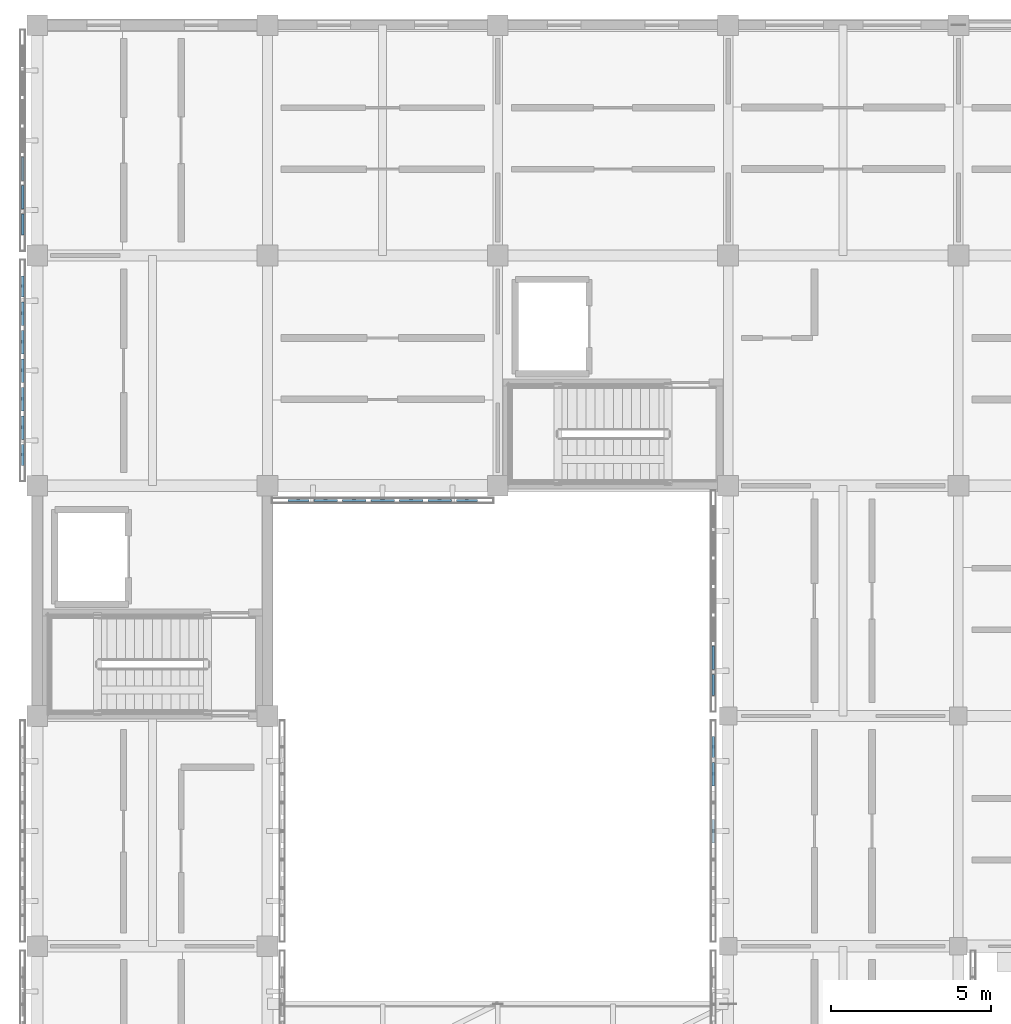
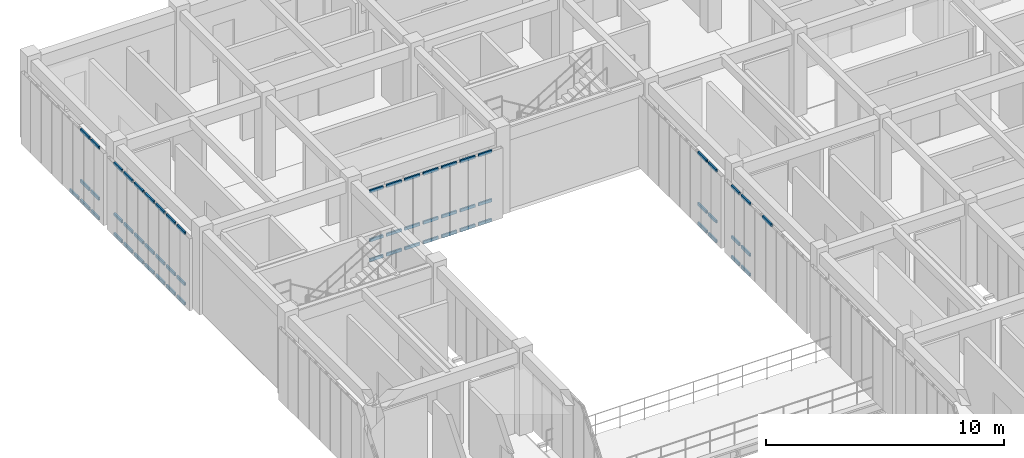
# One storey, part 30 of 91: 62 members, 5 elements without a shape of their own.
"""IFC4 building model written with IfcOpenShell, lengths in metres."""

from ifc_helpers import new_model, si_unit, direction, frame, origin, origin_2d, place, context, subcontext, project, spatial, hollow_rectangle, extrude, material, material_profile, profile_set, type_object, element, aggregate, save


model = new_model("IFC4")

# Units and contexts
model_context = context("Model", 3, precision=1e-05, world=origin(), true_north=direction((0.0, 1.0)))
body_context = subcontext(model_context, "Body", "Model", "MODEL_VIEW")
ifc_project = project(units=[si_unit("LENGTHUNIT", "METRE"), si_unit("AREAUNIT", "SQUARE_METRE"), si_unit("VOLUMEUNIT", "CUBIC_METRE"), si_unit("PLANEANGLEUNIT", "RADIAN"), si_unit("MASSUNIT", "GRAM", prefix="KILO")], contexts=[model_context])

# Site, building, storey
site_placement = place(None, origin())
site = spatial("IfcSite", under=ifc_project, at=site_placement, CompositionType="ELEMENT")
building_placement = place(site_placement, origin())
building = spatial("IfcBuilding", under=site, at=building_placement, Name="Aldebral Square Health Centre", CompositionType="ELEMENT")
storey_placement = place(building_placement, frame((0.0, 0.0, 9.0)))
storey = spatial("IfcBuildingStorey", under=building, at=storey_placement, Name="L02", CompositionType="ELEMENT", Elevation=9.0)

# Curtain wall, members
ifc_material_1 = material(Name="Aluminium and low-E solar glass", Category="aluminium")
curtain_wall_type = type_object("IfcCurtainWallType", Name="CW-FIN-SYS", PredefinedType="USERDEFINED", material=ifc_material_1)
curtain_wall_1_placement = place(storey_placement, origin())
curtain_wall_1 = element("IfcCurtainWall", 1, at=curtain_wall_1_placement, inside=storey, type_object=curtain_wall_type, Name="L02 V4 finned curtain wall L02-V4-00-14-W", ObjectType="SOLAR_CURTAIN_WALL", PredefinedType="USERDEFINED")
ifc_material_2 = material(Name="Anodised aluminium transom", Category="aluminium")
ifc_material_profile = material_profile(ifc_material_2, hollow_rectangle(XDim=0.074951171875, YDim=0.14990234375, WallThickness=0.00390625, at=origin_2d()), Name="CWT 75x150x4")
ifc_profile_set = profile_set([ifc_material_profile], Name="Anodised aluminium transom")
member_type = type_object("IfcMemberType", Name="CWT-STD", PredefinedType="USERDEFINED", material=ifc_profile_set)
member_1_placement = place(storey_placement, frame((-0.4599609375, 107.360107421875, 0.03759765625), z_axis=(0.0, -1.0, 0.0), x_axis=(1.0, 0.0, 0.0)))
member_1 = element("IfcMember", 2, at=member_1_placement, type_object=member_type, Name="CW1 transom 1.1", ObjectType="TRANSOM", PredefinedType="USERDEFINED", context=body_context, shape_type="SweptSolid", body=[
    extrude(hollow_rectangle(XDim=0.074951171875, YDim=0.14990234375, WallThickness=0.00390625, at=origin_2d()), origin(), (0.0, 0.0, 1.0), 0.651611328125),
])
member_2_placement = place(storey_placement, frame((-0.4599609375, 107.360107421875, 1.050048828125), z_axis=(0.0, -1.0, 0.0), x_axis=(1.0, 0.0, 0.0)))
member_2 = element("IfcMember", 3, at=member_2_placement, type_object=member_type, Name="CW1 transom 1.2", ObjectType="TRANSOM", PredefinedType="USERDEFINED", context=body_context, shape_type="SweptSolid", body=[
    extrude(hollow_rectangle(XDim=0.074951171875, YDim=0.14990234375, WallThickness=0.00390625, at=origin_2d()), origin(), (0.0, 0.0, 1.0), 0.651611328125),
])
member_3_placement = place(storey_placement, frame((-0.4599609375, 107.360107421875, 3.652587890625), z_axis=(0.0, -1.0, 0.0), x_axis=(1.0, 0.0, 0.0)))
member_3 = element("IfcMember", 4, at=member_3_placement, type_object=member_type, Name="CW1 transom 1.3", ObjectType="TRANSOM", PredefinedType="USERDEFINED", context=body_context, shape_type="SweptSolid", body=[
    extrude(hollow_rectangle(XDim=0.074951171875, YDim=0.14990234375, WallThickness=0.00390625, at=origin_2d()), origin(), (0.0, 0.0, 1.0), 0.651611328125),
])
member_4_placement = place(storey_placement, frame((-0.4599609375, 106.548583984375, 0.03759765625), z_axis=(0.0, -1.0, 0.0), x_axis=(1.0, 0.0, 0.0)))
member_4 = element("IfcMember", 5, at=member_4_placement, type_object=member_type, Name="CW1 transom 2.1", ObjectType="TRANSOM", PredefinedType="USERDEFINED", context=body_context, shape_type="SweptSolid", body=[
    extrude(hollow_rectangle(XDim=0.074951171875, YDim=0.14990234375, WallThickness=0.00390625, at=origin_2d()), origin(), (0.0, 0.0, 1.0), 0.7314453125),
])
member_5_placement = place(storey_placement, frame((-0.4599609375, 106.548583984375, 1.050048828125), z_axis=(0.0, -1.0, 0.0), x_axis=(1.0, 0.0, 0.0)))
member_5 = element("IfcMember", 6, at=member_5_placement, type_object=member_type, Name="CW1 transom 2.2", ObjectType="TRANSOM", PredefinedType="USERDEFINED", context=body_context, shape_type="SweptSolid", body=[
    extrude(hollow_rectangle(XDim=0.074951171875, YDim=0.14990234375, WallThickness=0.00390625, at=origin_2d()), origin(), (0.0, 0.0, 1.0), 0.7314453125),
])
member_6_placement = place(storey_placement, frame((-0.4599609375, 106.548583984375, 3.652587890625), z_axis=(0.0, -1.0, 0.0), x_axis=(1.0, 0.0, 0.0)))
member_6 = element("IfcMember", 7, at=member_6_placement, type_object=member_type, Name="CW1 transom 2.3", ObjectType="TRANSOM", PredefinedType="USERDEFINED", context=body_context, shape_type="SweptSolid", body=[
    extrude(hollow_rectangle(XDim=0.074951171875, YDim=0.14990234375, WallThickness=0.00390625, at=origin_2d()), origin(), (0.0, 0.0, 1.0), 0.7314453125),
])
member_7_placement = place(storey_placement, frame((-0.4599609375, 105.6572265625, 0.03759765625), z_axis=(0.0, -1.0, 0.0), x_axis=(1.0, 0.0, 0.0)))
member_7 = element("IfcMember", 8, at=member_7_placement, type_object=member_type, Name="CW1 transom 3.1", ObjectType="TRANSOM", PredefinedType="USERDEFINED", context=body_context, shape_type="SweptSolid", body=[
    extrude(hollow_rectangle(XDim=0.074951171875, YDim=0.14990234375, WallThickness=0.00390625, at=origin_2d()), origin(), (0.0, 0.0, 1.0), 0.7314453125),
])
member_8_placement = place(storey_placement, frame((-0.4599609375, 105.6572265625, 1.050048828125), z_axis=(0.0, -1.0, 0.0), x_axis=(1.0, 0.0, 0.0)))
member_8 = element("IfcMember", 9, at=member_8_placement, type_object=member_type, Name="CW1 transom 3.2", ObjectType="TRANSOM", PredefinedType="USERDEFINED", context=body_context, shape_type="SweptSolid", body=[
    extrude(hollow_rectangle(XDim=0.074951171875, YDim=0.14990234375, WallThickness=0.00390625, at=origin_2d()), origin(), (0.0, 0.0, 1.0), 0.7314453125),
])
member_9_placement = place(storey_placement, frame((-0.4599609375, 105.6572265625, 3.652587890625), z_axis=(0.0, -1.0, 0.0), x_axis=(1.0, 0.0, 0.0)))
member_9 = element("IfcMember", 10, at=member_9_placement, type_object=member_type, Name="CW1 transom 3.3", ObjectType="TRANSOM", PredefinedType="USERDEFINED", context=body_context, shape_type="SweptSolid", body=[
    extrude(hollow_rectangle(XDim=0.074951171875, YDim=0.14990234375, WallThickness=0.00390625, at=origin_2d()), origin(), (0.0, 0.0, 1.0), 0.7314453125),
])
member_10_placement = place(storey_placement, frame((-0.4599609375, 104.765625, 0.03759765625), z_axis=(0.0, -1.0, 0.0), x_axis=(1.0, 0.0, 0.0)))
member_10 = element("IfcMember", 11, at=member_10_placement, type_object=member_type, Name="CW1 transom 4.1", ObjectType="TRANSOM", PredefinedType="USERDEFINED", context=body_context, shape_type="SweptSolid", body=[
    extrude(hollow_rectangle(XDim=0.074951171875, YDim=0.14990234375, WallThickness=0.00390625, at=origin_2d()), origin(), (0.0, 0.0, 1.0), 0.7314453125),
])
member_11_placement = place(storey_placement, frame((-0.4599609375, 104.765625, 1.050048828125), z_axis=(0.0, -1.0, 0.0), x_axis=(1.0, 0.0, 0.0)))
member_11 = element("IfcMember", 12, at=member_11_placement, type_object=member_type, Name="CW1 transom 4.2", ObjectType="TRANSOM", PredefinedType="USERDEFINED", context=body_context, shape_type="SweptSolid", body=[
    extrude(hollow_rectangle(XDim=0.074951171875, YDim=0.14990234375, WallThickness=0.00390625, at=origin_2d()), origin(), (0.0, 0.0, 1.0), 0.7314453125),
])
member_12_placement = place(storey_placement, frame((-0.4599609375, 104.765625, 3.652587890625), z_axis=(0.0, -1.0, 0.0), x_axis=(1.0, 0.0, 0.0)))
member_12 = element("IfcMember", 13, at=member_12_placement, type_object=member_type, Name="CW1 transom 4.3", ObjectType="TRANSOM", PredefinedType="USERDEFINED", context=body_context, shape_type="SweptSolid", body=[
    extrude(hollow_rectangle(XDim=0.074951171875, YDim=0.14990234375, WallThickness=0.00390625, at=origin_2d()), origin(), (0.0, 0.0, 1.0), 0.7314453125),
])
member_13_placement = place(storey_placement, frame((-0.4599609375, 103.874267578125, 0.03759765625), z_axis=(0.0, -1.0, 0.0), x_axis=(1.0, 0.0, 0.0)))
member_13 = element("IfcMember", 14, at=member_13_placement, type_object=member_type, Name="CW1 transom 5.1", ObjectType="TRANSOM", PredefinedType="USERDEFINED", context=body_context, shape_type="SweptSolid", body=[
    extrude(hollow_rectangle(XDim=0.074951171875, YDim=0.14990234375, WallThickness=0.00390625, at=origin_2d()), origin(), (0.0, 0.0, 1.0), 0.7314453125),
])
member_14_placement = place(storey_placement, frame((-0.4599609375, 103.874267578125, 1.050048828125), z_axis=(0.0, -1.0, 0.0), x_axis=(1.0, 0.0, 0.0)))
member_14 = element("IfcMember", 15, at=member_14_placement, type_object=member_type, Name="CW1 transom 5.2", ObjectType="TRANSOM", PredefinedType="USERDEFINED", context=body_context, shape_type="SweptSolid", body=[
    extrude(hollow_rectangle(XDim=0.074951171875, YDim=0.14990234375, WallThickness=0.00390625, at=origin_2d()), origin(), (0.0, 0.0, 1.0), 0.7314453125),
])
member_15_placement = place(storey_placement, frame((-0.4599609375, 103.874267578125, 3.652587890625), z_axis=(0.0, -1.0, 0.0), x_axis=(1.0, 0.0, 0.0)))
member_15 = element("IfcMember", 16, at=member_15_placement, type_object=member_type, Name="CW1 transom 5.3", ObjectType="TRANSOM", PredefinedType="USERDEFINED", context=body_context, shape_type="SweptSolid", body=[
    extrude(hollow_rectangle(XDim=0.074951171875, YDim=0.14990234375, WallThickness=0.00390625, at=origin_2d()), origin(), (0.0, 0.0, 1.0), 0.7314453125),
])
member_16_placement = place(storey_placement, frame((-0.4599609375, 102.98291015625, 0.03759765625), z_axis=(0.0, -1.0, 0.0), x_axis=(1.0, 0.0, 0.0)))
member_16 = element("IfcMember", 17, at=member_16_placement, type_object=member_type, Name="CW1 transom 6.1", ObjectType="TRANSOM", PredefinedType="USERDEFINED", context=body_context, shape_type="SweptSolid", body=[
    extrude(hollow_rectangle(XDim=0.074951171875, YDim=0.14990234375, WallThickness=0.00390625, at=origin_2d()), origin(), (0.0, 0.0, 1.0), 0.7314453125),
])
member_17_placement = place(storey_placement, frame((-0.4599609375, 102.98291015625, 1.050048828125), z_axis=(0.0, -1.0, 0.0), x_axis=(1.0, 0.0, 0.0)))
member_17 = element("IfcMember", 18, at=member_17_placement, type_object=member_type, Name="CW1 transom 6.2", ObjectType="TRANSOM", PredefinedType="USERDEFINED", context=body_context, shape_type="SweptSolid", body=[
    extrude(hollow_rectangle(XDim=0.074951171875, YDim=0.14990234375, WallThickness=0.00390625, at=origin_2d()), origin(), (0.0, 0.0, 1.0), 0.7314453125),
])
member_18_placement = place(storey_placement, frame((-0.4599609375, 102.98291015625, 3.652587890625), z_axis=(0.0, -1.0, 0.0), x_axis=(1.0, 0.0, 0.0)))
member_18 = element("IfcMember", 19, at=member_18_placement, type_object=member_type, Name="CW1 transom 6.3", ObjectType="TRANSOM", PredefinedType="USERDEFINED", context=body_context, shape_type="SweptSolid", body=[
    extrude(hollow_rectangle(XDim=0.074951171875, YDim=0.14990234375, WallThickness=0.00390625, at=origin_2d()), origin(), (0.0, 0.0, 1.0), 0.7314453125),
])
member_19_placement = place(storey_placement, frame((-0.4599609375, 102.09130859375, 0.03759765625), z_axis=(0.0, -1.0, 0.0), x_axis=(1.0, 0.0, 0.0)))
member_19 = element("IfcMember", 20, at=member_19_placement, type_object=member_type, Name="CW1 transom 7.1", ObjectType="TRANSOM", PredefinedType="USERDEFINED", context=body_context, shape_type="SweptSolid", body=[
    extrude(hollow_rectangle(XDim=0.074951171875, YDim=0.14990234375, WallThickness=0.00390625, at=origin_2d()), origin(), (0.0, 0.0, 1.0), 0.6513671875),
])
member_20_placement = place(storey_placement, frame((-0.4599609375, 102.09130859375, 1.050048828125), z_axis=(0.0, -1.0, 0.0), x_axis=(1.0, 0.0, 0.0)))
member_20 = element("IfcMember", 21, at=member_20_placement, type_object=member_type, Name="CW1 transom 7.2", ObjectType="TRANSOM", PredefinedType="USERDEFINED", context=body_context, shape_type="SweptSolid", body=[
    extrude(hollow_rectangle(XDim=0.074951171875, YDim=0.14990234375, WallThickness=0.00390625, at=origin_2d()), origin(), (0.0, 0.0, 1.0), 0.6513671875),
])
member_21_placement = place(storey_placement, frame((-0.4599609375, 102.09130859375, 3.652587890625), z_axis=(0.0, -1.0, 0.0), x_axis=(1.0, 0.0, 0.0)))
member_21 = element("IfcMember", 22, at=member_21_placement, type_object=member_type, Name="CW1 transom 7.3", ObjectType="TRANSOM", PredefinedType="USERDEFINED", context=body_context, shape_type="SweptSolid", body=[
    extrude(hollow_rectangle(XDim=0.074951171875, YDim=0.14990234375, WallThickness=0.00390625, at=origin_2d()), origin(), (0.0, 0.0, 1.0), 0.6513671875),
])
aggregate(curtain_wall_1, [member_1, member_2, member_3, member_4, member_5, member_6, member_7, member_8, member_9, member_10, member_11, member_12, member_13, member_14, member_15, member_16, member_17, member_18, member_19, member_20, member_21])

curtain_wall_2_placement = place(storey_placement, origin())
curtain_wall_2 = element("IfcCurtainWall", 23, at=curtain_wall_2_placement, inside=storey, type_object=curtain_wall_type, Name="L02 V4 finned curtain wall L02-V4-00-15-W", ObjectType="SOLAR_CURTAIN_WALL", PredefinedType="USERDEFINED")
member_22_placement = place(storey_placement, frame((-0.4599609375, 111.07421875, 0.03759765625), z_axis=(0.0, -1.0, 0.0), x_axis=(1.0, 0.0, 0.0)))
member_22 = element("IfcMember", 24, at=member_22_placement, type_object=member_type, Name="CW1 transom 5.1", ObjectType="TRANSOM", PredefinedType="USERDEFINED", context=body_context, shape_type="SweptSolid", body=[
    extrude(hollow_rectangle(XDim=0.074951171875, YDim=0.14990234375, WallThickness=0.00390625, at=origin_2d()), origin(), (0.0, 0.0, 1.0), 0.7314453125),
])
member_23_placement = place(storey_placement, frame((-0.4599609375, 110.182861328125, 0.03759765625), z_axis=(0.0, -1.0, 0.0), x_axis=(1.0, 0.0, 0.0)))
member_23 = element("IfcMember", 25, at=member_23_placement, type_object=member_type, Name="CW1 transom 6.1", ObjectType="TRANSOM", PredefinedType="USERDEFINED", context=body_context, shape_type="SweptSolid", body=[
    extrude(hollow_rectangle(XDim=0.074951171875, YDim=0.14990234375, WallThickness=0.00390625, at=origin_2d()), origin(), (0.0, 0.0, 1.0), 0.7314453125),
])
member_24_placement = place(storey_placement, frame((-0.4599609375, 110.182861328125, 1.050048828125), z_axis=(0.0, -1.0, 0.0), x_axis=(1.0, 0.0, 0.0)))
member_24 = element("IfcMember", 26, at=member_24_placement, type_object=member_type, Name="CW1 transom 6.2", ObjectType="TRANSOM", PredefinedType="USERDEFINED", context=body_context, shape_type="SweptSolid", body=[
    extrude(hollow_rectangle(XDim=0.074951171875, YDim=0.14990234375, WallThickness=0.00390625, at=origin_2d()), origin(), (0.0, 0.0, 1.0), 0.7314453125),
])
member_25_placement = place(storey_placement, frame((-0.4599609375, 110.182861328125, 3.652587890625), z_axis=(0.0, -1.0, 0.0), x_axis=(1.0, 0.0, 0.0)))
member_25 = element("IfcMember", 27, at=member_25_placement, type_object=member_type, Name="CW1 transom 6.3", ObjectType="TRANSOM", PredefinedType="USERDEFINED", context=body_context, shape_type="SweptSolid", body=[
    extrude(hollow_rectangle(XDim=0.074951171875, YDim=0.14990234375, WallThickness=0.00390625, at=origin_2d()), origin(), (0.0, 0.0, 1.0), 0.7314453125),
])
member_26_placement = place(storey_placement, frame((-0.4599609375, 109.29150390625, 0.03759765625), z_axis=(0.0, -1.0, 0.0), x_axis=(1.0, 0.0, 0.0)))
member_26 = element("IfcMember", 28, at=member_26_placement, type_object=member_type, Name="CW1 transom 7.1", ObjectType="TRANSOM", PredefinedType="USERDEFINED", context=body_context, shape_type="SweptSolid", body=[
    extrude(hollow_rectangle(XDim=0.074951171875, YDim=0.14990234375, WallThickness=0.00390625, at=origin_2d()), origin(), (0.0, 0.0, 1.0), 0.651611328125),
])
member_27_placement = place(storey_placement, frame((-0.4599609375, 109.29150390625, 1.050048828125), z_axis=(0.0, -1.0, 0.0), x_axis=(1.0, 0.0, 0.0)))
member_27 = element("IfcMember", 29, at=member_27_placement, type_object=member_type, Name="CW1 transom 7.2", ObjectType="TRANSOM", PredefinedType="USERDEFINED", context=body_context, shape_type="SweptSolid", body=[
    extrude(hollow_rectangle(XDim=0.074951171875, YDim=0.14990234375, WallThickness=0.00390625, at=origin_2d()), origin(), (0.0, 0.0, 1.0), 0.651611328125),
])
member_28_placement = place(storey_placement, frame((-0.4599609375, 109.29150390625, 3.652587890625), z_axis=(0.0, -1.0, 0.0), x_axis=(1.0, 0.0, 0.0)))
member_28 = element("IfcMember", 30, at=member_28_placement, type_object=member_type, Name="CW1 transom 7.3", ObjectType="TRANSOM", PredefinedType="USERDEFINED", context=body_context, shape_type="SweptSolid", body=[
    extrude(hollow_rectangle(XDim=0.074951171875, YDim=0.14990234375, WallThickness=0.00390625, at=origin_2d()), origin(), (0.0, 0.0, 1.0), 0.651611328125),
])
aggregate(curtain_wall_2, [member_22, member_23, member_24, member_25, member_26, member_27, member_28])

curtain_wall_3_placement = place(storey_placement, origin())
curtain_wall_3 = element("IfcCurtainWall", 31, at=curtain_wall_3_placement, inside=storey, type_object=curtain_wall_type, Name="L02 V4 finned curtain wall L02-V4-01-14-S", ObjectType="SOLAR_CURTAIN_WALL", PredefinedType="USERDEFINED")
member_29_placement = place(storey_placement, frame((7.840087890625, 100.340087890625, 0.03759765625), z_axis=(1.0, 0.0, 0.0), x_axis=(0.0, 1.0, 0.0)))
member_29 = element("IfcMember", 32, at=member_29_placement, type_object=member_type, Name="CW1 transom 1.1", ObjectType="TRANSOM", PredefinedType="USERDEFINED", context=body_context, shape_type="SweptSolid", body=[
    extrude(hollow_rectangle(XDim=0.074951171875, YDim=0.14990234375, WallThickness=0.00390625, at=origin_2d()), origin(), (0.0, 0.0, 1.0), 0.6513671875),
])
member_30_placement = place(storey_placement, frame((7.840087890625, 100.340087890625, 1.050048828125), z_axis=(1.0, 0.0, 0.0), x_axis=(0.0, 1.0, 0.0)))
member_30 = element("IfcMember", 33, at=member_30_placement, type_object=member_type, Name="CW1 transom 1.2", ObjectType="TRANSOM", PredefinedType="USERDEFINED", context=body_context, shape_type="SweptSolid", body=[
    extrude(hollow_rectangle(XDim=0.074951171875, YDim=0.14990234375, WallThickness=0.00390625, at=origin_2d()), origin(), (0.0, 0.0, 1.0), 0.6513671875),
])
member_31_placement = place(storey_placement, frame((7.840087890625, 100.340087890625, 3.552490234375), z_axis=(1.0, 0.0, 0.0), x_axis=(0.0, 1.0, 0.0)))
member_31 = element("IfcMember", 34, at=member_31_placement, type_object=member_type, Name="CW1 transom 1.3", ObjectType="TRANSOM", PredefinedType="USERDEFINED", context=body_context, shape_type="SweptSolid", body=[
    extrude(hollow_rectangle(XDim=0.074951171875, YDim=0.14990234375, WallThickness=0.00390625, at=origin_2d()), origin(), (0.0, 0.0, 1.0), 0.6513671875),
])
member_32_placement = place(storey_placement, frame((8.6513671875, 100.340087890625, 0.03759765625), z_axis=(1.0, 0.0, 0.0), x_axis=(0.0, 1.0, 0.0)))
member_32 = element("IfcMember", 35, at=member_32_placement, type_object=member_type, Name="CW1 transom 2.1", ObjectType="TRANSOM", PredefinedType="USERDEFINED", context=body_context, shape_type="SweptSolid", body=[
    extrude(hollow_rectangle(XDim=0.074951171875, YDim=0.14990234375, WallThickness=0.00390625, at=origin_2d()), origin(), (0.0, 0.0, 1.0), 0.7314453125),
])
member_33_placement = place(storey_placement, frame((8.6513671875, 100.340087890625, 1.050048828125), z_axis=(1.0, 0.0, 0.0), x_axis=(0.0, 1.0, 0.0)))
member_33 = element("IfcMember", 36, at=member_33_placement, type_object=member_type, Name="CW1 transom 2.2", ObjectType="TRANSOM", PredefinedType="USERDEFINED", context=body_context, shape_type="SweptSolid", body=[
    extrude(hollow_rectangle(XDim=0.074951171875, YDim=0.14990234375, WallThickness=0.00390625, at=origin_2d()), origin(), (0.0, 0.0, 1.0), 0.7314453125),
])
member_34_placement = place(storey_placement, frame((8.6513671875, 100.340087890625, 3.552490234375), z_axis=(1.0, 0.0, 0.0), x_axis=(0.0, 1.0, 0.0)))
member_34 = element("IfcMember", 37, at=member_34_placement, type_object=member_type, Name="CW1 transom 2.3", ObjectType="TRANSOM", PredefinedType="USERDEFINED", context=body_context, shape_type="SweptSolid", body=[
    extrude(hollow_rectangle(XDim=0.074951171875, YDim=0.14990234375, WallThickness=0.00390625, at=origin_2d()), origin(), (0.0, 0.0, 1.0), 0.7314453125),
])
member_35_placement = place(storey_placement, frame((9.54296875, 100.340087890625, 0.03759765625), z_axis=(1.0, 0.0, 0.0), x_axis=(0.0, 1.0, 0.0)))
member_35 = element("IfcMember", 38, at=member_35_placement, type_object=member_type, Name="CW1 transom 3.1", ObjectType="TRANSOM", PredefinedType="USERDEFINED", context=body_context, shape_type="SweptSolid", body=[
    extrude(hollow_rectangle(XDim=0.074951171875, YDim=0.14990234375, WallThickness=0.00390625, at=origin_2d()), origin(), (0.0, 0.0, 1.0), 0.731201171875),
])
member_36_placement = place(storey_placement, frame((9.54296875, 100.340087890625, 1.050048828125), z_axis=(1.0, 0.0, 0.0), x_axis=(0.0, 1.0, 0.0)))
member_36 = element("IfcMember", 39, at=member_36_placement, type_object=member_type, Name="CW1 transom 3.2", ObjectType="TRANSOM", PredefinedType="USERDEFINED", context=body_context, shape_type="SweptSolid", body=[
    extrude(hollow_rectangle(XDim=0.074951171875, YDim=0.14990234375, WallThickness=0.00390625, at=origin_2d()), origin(), (0.0, 0.0, 1.0), 0.731201171875),
])
member_37_placement = place(storey_placement, frame((9.54296875, 100.340087890625, 3.552490234375), z_axis=(1.0, 0.0, 0.0), x_axis=(0.0, 1.0, 0.0)))
member_37 = element("IfcMember", 40, at=member_37_placement, type_object=member_type, Name="CW1 transom 3.3", ObjectType="TRANSOM", PredefinedType="USERDEFINED", context=body_context, shape_type="SweptSolid", body=[
    extrude(hollow_rectangle(XDim=0.074951171875, YDim=0.14990234375, WallThickness=0.00390625, at=origin_2d()), origin(), (0.0, 0.0, 1.0), 0.731201171875),
])
member_38_placement = place(storey_placement, frame((10.434326171875, 100.340087890625, 0.03759765625), z_axis=(1.0, 0.0, 0.0), x_axis=(0.0, 1.0, 0.0)))
member_38 = element("IfcMember", 41, at=member_38_placement, type_object=member_type, Name="CW1 transom 4.1", ObjectType="TRANSOM", PredefinedType="USERDEFINED", context=body_context, shape_type="SweptSolid", body=[
    extrude(hollow_rectangle(XDim=0.074951171875, YDim=0.14990234375, WallThickness=0.00390625, at=origin_2d()), origin(), (0.0, 0.0, 1.0), 0.7314453125),
])
member_39_placement = place(storey_placement, frame((10.434326171875, 100.340087890625, 1.050048828125), z_axis=(1.0, 0.0, 0.0), x_axis=(0.0, 1.0, 0.0)))
member_39 = element("IfcMember", 42, at=member_39_placement, type_object=member_type, Name="CW1 transom 4.2", ObjectType="TRANSOM", PredefinedType="USERDEFINED", context=body_context, shape_type="SweptSolid", body=[
    extrude(hollow_rectangle(XDim=0.074951171875, YDim=0.14990234375, WallThickness=0.00390625, at=origin_2d()), origin(), (0.0, 0.0, 1.0), 0.7314453125),
])
member_40_placement = place(storey_placement, frame((10.434326171875, 100.340087890625, 3.552490234375), z_axis=(1.0, 0.0, 0.0), x_axis=(0.0, 1.0, 0.0)))
member_40 = element("IfcMember", 43, at=member_40_placement, type_object=member_type, Name="CW1 transom 4.3", ObjectType="TRANSOM", PredefinedType="USERDEFINED", context=body_context, shape_type="SweptSolid", body=[
    extrude(hollow_rectangle(XDim=0.074951171875, YDim=0.14990234375, WallThickness=0.00390625, at=origin_2d()), origin(), (0.0, 0.0, 1.0), 0.7314453125),
])
member_41_placement = place(storey_placement, frame((11.32568359375, 100.340087890625, 0.03759765625), z_axis=(1.0, 0.0, 0.0), x_axis=(0.0, 1.0, 0.0)))
member_41 = element("IfcMember", 44, at=member_41_placement, type_object=member_type, Name="CW1 transom 5.1", ObjectType="TRANSOM", PredefinedType="USERDEFINED", context=body_context, shape_type="SweptSolid", body=[
    extrude(hollow_rectangle(XDim=0.074951171875, YDim=0.14990234375, WallThickness=0.00390625, at=origin_2d()), origin(), (0.0, 0.0, 1.0), 0.7314453125),
])
member_42_placement = place(storey_placement, frame((11.32568359375, 100.340087890625, 1.050048828125), z_axis=(1.0, 0.0, 0.0), x_axis=(0.0, 1.0, 0.0)))
member_42 = element("IfcMember", 45, at=member_42_placement, type_object=member_type, Name="CW1 transom 5.2", ObjectType="TRANSOM", PredefinedType="USERDEFINED", context=body_context, shape_type="SweptSolid", body=[
    extrude(hollow_rectangle(XDim=0.074951171875, YDim=0.14990234375, WallThickness=0.00390625, at=origin_2d()), origin(), (0.0, 0.0, 1.0), 0.7314453125),
])
member_43_placement = place(storey_placement, frame((11.32568359375, 100.340087890625, 3.552490234375), z_axis=(1.0, 0.0, 0.0), x_axis=(0.0, 1.0, 0.0)))
member_43 = element("IfcMember", 46, at=member_43_placement, type_object=member_type, Name="CW1 transom 5.3", ObjectType="TRANSOM", PredefinedType="USERDEFINED", context=body_context, shape_type="SweptSolid", body=[
    extrude(hollow_rectangle(XDim=0.074951171875, YDim=0.14990234375, WallThickness=0.00390625, at=origin_2d()), origin(), (0.0, 0.0, 1.0), 0.7314453125),
])
member_44_placement = place(storey_placement, frame((12.217041015625, 100.340087890625, 0.03759765625), z_axis=(1.0, 0.0, 0.0), x_axis=(0.0, 1.0, 0.0)))
member_44 = element("IfcMember", 47, at=member_44_placement, type_object=member_type, Name="CW1 transom 6.1", ObjectType="TRANSOM", PredefinedType="USERDEFINED", context=body_context, shape_type="SweptSolid", body=[
    extrude(hollow_rectangle(XDim=0.074951171875, YDim=0.14990234375, WallThickness=0.00390625, at=origin_2d()), origin(), (0.0, 0.0, 1.0), 0.7314453125),
])
member_45_placement = place(storey_placement, frame((12.217041015625, 100.340087890625, 1.050048828125), z_axis=(1.0, 0.0, 0.0), x_axis=(0.0, 1.0, 0.0)))
member_45 = element("IfcMember", 48, at=member_45_placement, type_object=member_type, Name="CW1 transom 6.2", ObjectType="TRANSOM", PredefinedType="USERDEFINED", context=body_context, shape_type="SweptSolid", body=[
    extrude(hollow_rectangle(XDim=0.074951171875, YDim=0.14990234375, WallThickness=0.00390625, at=origin_2d()), origin(), (0.0, 0.0, 1.0), 0.7314453125),
])
member_46_placement = place(storey_placement, frame((12.217041015625, 100.340087890625, 3.552490234375), z_axis=(1.0, 0.0, 0.0), x_axis=(0.0, 1.0, 0.0)))
member_46 = element("IfcMember", 49, at=member_46_placement, type_object=member_type, Name="CW1 transom 6.3", ObjectType="TRANSOM", PredefinedType="USERDEFINED", context=body_context, shape_type="SweptSolid", body=[
    extrude(hollow_rectangle(XDim=0.074951171875, YDim=0.14990234375, WallThickness=0.00390625, at=origin_2d()), origin(), (0.0, 0.0, 1.0), 0.7314453125),
])
member_47_placement = place(storey_placement, frame((13.108642578125, 100.340087890625, 0.03759765625), z_axis=(1.0, 0.0, 0.0), x_axis=(0.0, 1.0, 0.0)))
member_47 = element("IfcMember", 50, at=member_47_placement, type_object=member_type, Name="CW1 transom 7.1", ObjectType="TRANSOM", PredefinedType="USERDEFINED", context=body_context, shape_type="SweptSolid", body=[
    extrude(hollow_rectangle(XDim=0.074951171875, YDim=0.14990234375, WallThickness=0.00390625, at=origin_2d()), origin(), (0.0, 0.0, 1.0), 0.6513671875),
])
member_48_placement = place(storey_placement, frame((13.108642578125, 100.340087890625, 1.050048828125), z_axis=(1.0, 0.0, 0.0), x_axis=(0.0, 1.0, 0.0)))
member_48 = element("IfcMember", 51, at=member_48_placement, type_object=member_type, Name="CW1 transom 7.2", ObjectType="TRANSOM", PredefinedType="USERDEFINED", context=body_context, shape_type="SweptSolid", body=[
    extrude(hollow_rectangle(XDim=0.074951171875, YDim=0.14990234375, WallThickness=0.00390625, at=origin_2d()), origin(), (0.0, 0.0, 1.0), 0.6513671875),
])
member_49_placement = place(storey_placement, frame((13.108642578125, 100.340087890625, 3.552490234375), z_axis=(1.0, 0.0, 0.0), x_axis=(0.0, 1.0, 0.0)))
member_49 = element("IfcMember", 52, at=member_49_placement, type_object=member_type, Name="CW1 transom 7.3", ObjectType="TRANSOM", PredefinedType="USERDEFINED", context=body_context, shape_type="SweptSolid", body=[
    extrude(hollow_rectangle(XDim=0.074951171875, YDim=0.14990234375, WallThickness=0.00390625, at=origin_2d()), origin(), (0.0, 0.0, 1.0), 0.6513671875),
])
aggregate(curtain_wall_3, [member_29, member_30, member_31, member_32, member_33, member_34, member_35, member_36, member_37, member_38, member_39, member_40, member_41, member_42, member_43, member_44, member_45, member_46, member_47, member_48, member_49])

curtain_wall_4_placement = place(storey_placement, origin())
curtain_wall_4 = element("IfcCurtainWall", 53, at=curtain_wall_4_placement, inside=storey, type_object=curtain_wall_type, Name="L02 V4 finned curtain wall L02-V4-03-12-W", ObjectType="SOLAR_CURTAIN_WALL", PredefinedType="USERDEFINED")
member_50_placement = place(storey_placement, frame((21.139892578125, 92.9599609375, 0.03759765625), z_axis=(0.0, -1.0, 0.0), x_axis=(1.0, 0.0, 0.0)))
member_50 = element("IfcMember", 54, at=member_50_placement, type_object=member_type, Name="CW1 transom 1.1", ObjectType="TRANSOM", PredefinedType="USERDEFINED", context=body_context, shape_type="SweptSolid", body=[
    extrude(hollow_rectangle(XDim=0.074951171875, YDim=0.14990234375, WallThickness=0.00390625, at=origin_2d()), origin(), (0.0, 0.0, 1.0), 0.6513671875),
])
member_51_placement = place(storey_placement, frame((21.139892578125, 92.9599609375, 1.050048828125), z_axis=(0.0, -1.0, 0.0), x_axis=(1.0, 0.0, 0.0)))
member_51 = element("IfcMember", 55, at=member_51_placement, type_object=member_type, Name="CW1 transom 1.2", ObjectType="TRANSOM", PredefinedType="USERDEFINED", context=body_context, shape_type="SweptSolid", body=[
    extrude(hollow_rectangle(XDim=0.074951171875, YDim=0.14990234375, WallThickness=0.00390625, at=origin_2d()), origin(), (0.0, 0.0, 1.0), 0.6513671875),
])
member_52_placement = place(storey_placement, frame((21.139892578125, 92.9599609375, 3.652587890625), z_axis=(0.0, -1.0, 0.0), x_axis=(1.0, 0.0, 0.0)))
member_52 = element("IfcMember", 56, at=member_52_placement, type_object=member_type, Name="CW1 transom 1.3", ObjectType="TRANSOM", PredefinedType="USERDEFINED", context=body_context, shape_type="SweptSolid", body=[
    extrude(hollow_rectangle(XDim=0.074951171875, YDim=0.14990234375, WallThickness=0.00390625, at=origin_2d()), origin(), (0.0, 0.0, 1.0), 0.6513671875),
])
member_53_placement = place(storey_placement, frame((21.139892578125, 92.148681640625, 0.03759765625), z_axis=(0.0, -1.0, 0.0), x_axis=(1.0, 0.0, 0.0)))
member_53 = element("IfcMember", 57, at=member_53_placement, type_object=member_type, Name="CW1 transom 2.1", ObjectType="TRANSOM", PredefinedType="USERDEFINED", context=body_context, shape_type="SweptSolid", body=[
    extrude(hollow_rectangle(XDim=0.074951171875, YDim=0.14990234375, WallThickness=0.00390625, at=origin_2d()), origin(), (0.0, 0.0, 1.0), 0.7314453125),
])
member_54_placement = place(storey_placement, frame((21.139892578125, 92.148681640625, 1.050048828125), z_axis=(0.0, -1.0, 0.0), x_axis=(1.0, 0.0, 0.0)))
member_54 = element("IfcMember", 58, at=member_54_placement, type_object=member_type, Name="CW1 transom 2.2", ObjectType="TRANSOM", PredefinedType="USERDEFINED", context=body_context, shape_type="SweptSolid", body=[
    extrude(hollow_rectangle(XDim=0.074951171875, YDim=0.14990234375, WallThickness=0.00390625, at=origin_2d()), origin(), (0.0, 0.0, 1.0), 0.7314453125),
])
member_55_placement = place(storey_placement, frame((21.139892578125, 92.148681640625, 3.652587890625), z_axis=(0.0, -1.0, 0.0), x_axis=(1.0, 0.0, 0.0)))
member_55 = element("IfcMember", 59, at=member_55_placement, type_object=member_type, Name="CW1 transom 2.3", ObjectType="TRANSOM", PredefinedType="USERDEFINED", context=body_context, shape_type="SweptSolid", body=[
    extrude(hollow_rectangle(XDim=0.074951171875, YDim=0.14990234375, WallThickness=0.00390625, at=origin_2d()), origin(), (0.0, 0.0, 1.0), 0.7314453125),
])
member_56_placement = place(storey_placement, frame((21.139892578125, 90.36572265625, 3.652587890625), z_axis=(0.0, -1.0, 0.0), x_axis=(1.0, 0.0, 0.0)))
member_56 = element("IfcMember", 60, at=member_56_placement, type_object=member_type, Name="CW1 transom 4.3", ObjectType="TRANSOM", PredefinedType="USERDEFINED", context=body_context, shape_type="SweptSolid", body=[
    extrude(hollow_rectangle(XDim=0.074951171875, YDim=0.14990234375, WallThickness=0.00390625, at=origin_2d()), origin(), (0.0, 0.0, 1.0), 0.7314453125),
])
aggregate(curtain_wall_4, [member_50, member_51, member_52, member_53, member_54, member_55, member_56])

curtain_wall_5_placement = place(storey_placement, origin())
curtain_wall_5 = element("IfcCurtainWall", 61, at=curtain_wall_5_placement, inside=storey, type_object=curtain_wall_type, Name="L02 V4 finned curtain wall L02-V4-03-13-W", ObjectType="SOLAR_CURTAIN_WALL", PredefinedType="USERDEFINED")
member_57_placement = place(storey_placement, frame((21.139892578125, 95.782958984375, 0.03759765625), z_axis=(0.0, -1.0, 0.0), x_axis=(1.0, 0.0, 0.0)))
member_57 = element("IfcMember", 62, at=member_57_placement, type_object=member_type, Name="CW1 transom 6.1", ObjectType="TRANSOM", PredefinedType="USERDEFINED", context=body_context, shape_type="SweptSolid", body=[
    extrude(hollow_rectangle(XDim=0.074951171875, YDim=0.14990234375, WallThickness=0.00390625, at=origin_2d()), origin(), (0.0, 0.0, 1.0), 0.7314453125),
])
member_58_placement = place(storey_placement, frame((21.139892578125, 95.782958984375, 1.050048828125), z_axis=(0.0, -1.0, 0.0), x_axis=(1.0, 0.0, 0.0)))
member_58 = element("IfcMember", 63, at=member_58_placement, type_object=member_type, Name="CW1 transom 6.2", ObjectType="TRANSOM", PredefinedType="USERDEFINED", context=body_context, shape_type="SweptSolid", body=[
    extrude(hollow_rectangle(XDim=0.074951171875, YDim=0.14990234375, WallThickness=0.00390625, at=origin_2d()), origin(), (0.0, 0.0, 1.0), 0.7314453125),
])
member_59_placement = place(storey_placement, frame((21.139892578125, 95.782958984375, 3.652587890625), z_axis=(0.0, -1.0, 0.0), x_axis=(1.0, 0.0, 0.0)))
member_59 = element("IfcMember", 64, at=member_59_placement, type_object=member_type, Name="CW1 transom 6.3", ObjectType="TRANSOM", PredefinedType="USERDEFINED", context=body_context, shape_type="SweptSolid", body=[
    extrude(hollow_rectangle(XDim=0.074951171875, YDim=0.14990234375, WallThickness=0.00390625, at=origin_2d()), origin(), (0.0, 0.0, 1.0), 0.7314453125),
])
member_60_placement = place(storey_placement, frame((21.139892578125, 94.891357421875, 0.03759765625), z_axis=(0.0, -1.0, 0.0), x_axis=(1.0, 0.0, 0.0)))
member_60 = element("IfcMember", 65, at=member_60_placement, type_object=member_type, Name="CW1 transom 7.1", ObjectType="TRANSOM", PredefinedType="USERDEFINED", context=body_context, shape_type="SweptSolid", body=[
    extrude(hollow_rectangle(XDim=0.074951171875, YDim=0.14990234375, WallThickness=0.00390625, at=origin_2d()), origin(), (0.0, 0.0, 1.0), 0.6513671875),
])
member_61_placement = place(storey_placement, frame((21.139892578125, 94.891357421875, 1.050048828125), z_axis=(0.0, -1.0, 0.0), x_axis=(1.0, 0.0, 0.0)))
member_61 = element("IfcMember", 66, at=member_61_placement, type_object=member_type, Name="CW1 transom 7.2", ObjectType="TRANSOM", PredefinedType="USERDEFINED", context=body_context, shape_type="SweptSolid", body=[
    extrude(hollow_rectangle(XDim=0.074951171875, YDim=0.14990234375, WallThickness=0.00390625, at=origin_2d()), origin(), (0.0, 0.0, 1.0), 0.6513671875),
])
member_62_placement = place(storey_placement, frame((21.139892578125, 94.891357421875, 3.652587890625), z_axis=(0.0, -1.0, 0.0), x_axis=(1.0, 0.0, 0.0)))
member_62 = element("IfcMember", 67, at=member_62_placement, type_object=member_type, Name="CW1 transom 7.3", ObjectType="TRANSOM", PredefinedType="USERDEFINED", context=body_context, shape_type="SweptSolid", body=[
    extrude(hollow_rectangle(XDim=0.074951171875, YDim=0.14990234375, WallThickness=0.00390625, at=origin_2d()), origin(), (0.0, 0.0, 1.0), 0.6513671875),
])
aggregate(curtain_wall_5, [member_57, member_58, member_59, member_60, member_61, member_62])

save(model, "model.ifc")
